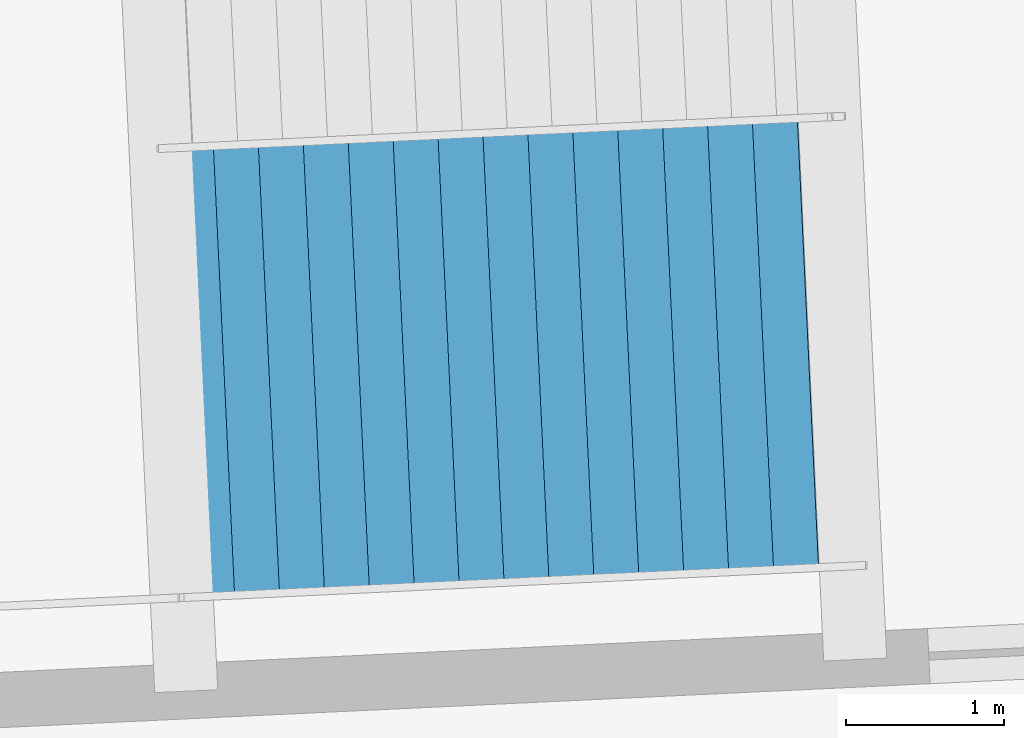
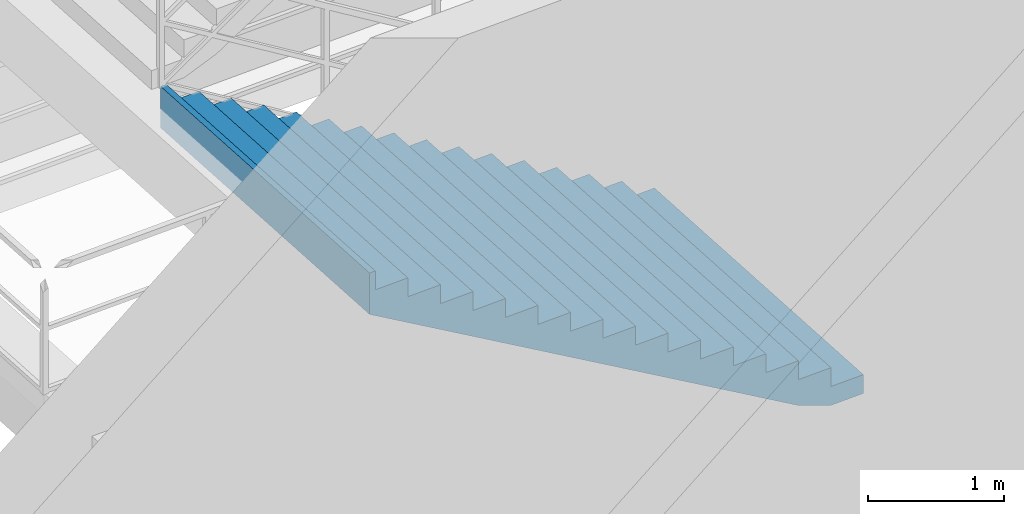
# One storey, part 93 of 103: 1 stair flight, 1 element without a shape of its own.
"""IFC4 building model written with IfcOpenShell, lengths in metres."""

from ifc_helpers import new_model, si_unit, direction, frame, origin, place, context, subcontext, project, spatial, polygons, material, type_object, element, aggregate, save


model = new_model("IFC4")

# Units and contexts
model_context = context("Model", 3, precision=1e-05, world=origin(), true_north=direction((0.0, 1.0)))
body_context = subcontext(model_context, "Body", "Model", "MODEL_VIEW")
ifc_project = project(units=[si_unit("LENGTHUNIT", "METRE"), si_unit("AREAUNIT", "SQUARE_METRE"), si_unit("VOLUMEUNIT", "CUBIC_METRE"), si_unit("PLANEANGLEUNIT", "RADIAN"), si_unit("MASSUNIT", "GRAM", prefix="KILO")], contexts=[model_context])

# Site, building, storey
site_placement = place(None, origin())
site = spatial("IfcSite", under=ifc_project, at=site_placement, CompositionType="ELEMENT")
building_placement = place(site_placement, origin())
building = spatial("IfcBuilding", under=site, at=building_placement, Name="Kazemori Nagisa Stadium", CompositionType="ELEMENT")
storey_placement = place(building_placement, frame((0.0, 0.0, 25.840087890625)))
storey = spatial("IfcBuildingStorey", under=building, at=storey_placement, Name="L05", CompositionType="ELEMENT", Elevation=25.840087890625)

# Stair, stair flight
ifc_material = material(Name="Concrete C36/45 (Fc36)", Category="concrete")
stair_type = type_object("IfcStairType", Name="Stair_CORE_32", PredefinedType="TWO_STRAIGHT_RUN_STAIR", material=ifc_material)
stair_placement = place(storey_placement, origin())
stair = element("IfcStair", 1, at=stair_placement, inside=storey, type_object=stair_type, Name="Exit stair ST05 L05", PredefinedType="TWO_STRAIGHT_RUN_STAIR")
stair_flight_type = type_object("IfcStairFlightType", Name="Flight_CORE_16", PredefinedType="STRAIGHT", material=ifc_material)
stair_flight_placement = place(storey_placement, frame((119.465087890625, 180.565673828125, 0.0), z_axis=(0.0, 0.0, 1.0), x_axis=(-0.99888410244, -0.047228697771, 0.0)))
stair_flight = element("IfcStairFlight", 2, at=stair_flight_placement, type_object=stair_flight_type, Name="Exit stair ST05 L05 flight 1", NumberOfRisers=16, NumberOfTreads=15, PredefinedType="STRAIGHT", RiserHeight=0.17, TreadLength=0.285, context=body_context, shape_type="Tessellation", body=[
    polygons([(0.0, -1.425048828125, 0.0), (0.0, -1.425048828125, 0.169921875), (0.284912109375, -1.425048828125, 0.169921875), (0.284912109375, -1.425048828125, 0.340087890625), (0.570068359375, -1.425048828125, 0.340087890625), (0.570068359375, -1.425048828125, 0.510009765625), (0.85498046875, -1.425048828125, 0.510009765625), (0.85498046875, -1.425048828125, 0.679931640625), (1.139892578125, -1.425048828125, 0.679931640625), (1.139892578125, -1.425048828125, 0.85009765625), (1.425048828125, -1.425048828125, 0.85009765625), (1.425048828125, -1.425048828125, 1.02001953125), (1.7099609375, -1.425048828125, 1.02001953125), (1.7099609375, -1.425048828125, 1.18994140625), (1.9951171875, -1.425048828125, 1.18994140625), (1.9951171875, -1.425048828125, 1.360107421875), (2.280029296875, -1.425048828125, 1.360107421875), (2.280029296875, -1.425048828125, 1.530029296875), (2.56494140625, -1.425048828125, 1.530029296875), (2.56494140625, -1.425048828125, 1.699951171875), (2.85009765625, -1.425048828125, 1.699951171875), (2.85009765625, -1.425048828125, 1.8701171875), (3.135009765625, -1.425048828125, 1.8701171875), (3.135009765625, -1.425048828125, 2.0400390625), (3.419921875, -1.425048828125, 2.0400390625), (3.419921875, -1.425048828125, 2.2099609375), (3.705078125, -1.425048828125, 2.2099609375), (3.705078125, -1.425048828125, 2.3798828125), (3.989990234375, -1.425048828125, 2.3798828125), (3.989990234375, -1.425048828125, 2.550048828125), (4.27490234375, -1.425048828125, 2.550048828125), (4.27490234375, -1.425048828125, 2.719970703125), (4.324951171875, -1.425048828125, 2.719970703125), (4.324951171875, -1.425048828125, 2.346923828125), (4.27490234375, -1.425048828125, 2.317138671875), (3.989990234375, -1.425048828125, 2.147216796875), (3.705078125, -1.425048828125, 1.977294921875), (3.419921875, -1.425048828125, 1.80712890625), (3.135009765625, -1.425048828125, 1.63720703125), (2.85009765625, -1.425048828125, 1.46728515625), (2.56494140625, -1.425048828125, 1.297119140625), (2.280029296875, -1.425048828125, 1.127197265625), (1.9951171875, -1.425048828125, 0.957275390625), (1.7099609375, -1.425048828125, 0.787109375), (1.425048828125, -1.425048828125, 0.6171875), (1.139892578125, -1.425048828125, 0.447265625), (0.85498046875, -1.425048828125, 0.277099609375), (0.570068359375, -1.425048828125, 0.107177734375), (0.284912109375, -1.425048828125, 0.0), (0.0, -0.08544921875, 0.0), (0.0, -0.08544921875, 0.169921875), (0.284912109375, -0.08544921875, 0.169921875), (0.284912109375, -0.08544921875, 0.340087890625), (0.570068359375, -0.08544921875, 0.340087890625), (0.570068359375, -0.08544921875, 0.510009765625), (0.85498046875, -0.08544921875, 0.510009765625), (0.85498046875, -0.08544921875, 0.679931640625), (1.139892578125, -0.08544921875, 0.679931640625), (1.139892578125, -0.08544921875, 0.85009765625), (1.425048828125, -0.08544921875, 0.85009765625), (1.425048828125, -0.08544921875, 1.02001953125), (1.7099609375, -0.08544921875, 1.02001953125), (1.7099609375, -0.08544921875, 1.18994140625), (1.9951171875, -0.08544921875, 1.18994140625), (1.9951171875, -0.08544921875, 1.360107421875), (2.280029296875, -0.08544921875, 1.360107421875), (2.280029296875, -0.08544921875, 1.530029296875), (2.56494140625, -0.08544921875, 1.530029296875), (2.56494140625, -0.08544921875, 1.699951171875), (2.85009765625, -0.08544921875, 1.699951171875), (2.85009765625, -0.08544921875, 1.8701171875), (3.135009765625, -0.08544921875, 1.8701171875), (3.135009765625, -0.08544921875, 2.0400390625), (3.419921875, -0.08544921875, 2.0400390625), (3.419921875, -0.08544921875, 2.2099609375), (3.705078125, -0.08544921875, 2.2099609375), (3.705078125, -0.08544921875, 2.3798828125), (3.989990234375, -0.08544921875, 2.3798828125), (3.989990234375, -0.08544921875, 2.550048828125), (4.27490234375, -0.08544921875, 2.550048828125), (4.27490234375, -0.08544921875, 2.719970703125), (4.324951171875, -0.08544921875, 2.719970703125), (4.324951171875, -0.08544921875, 2.346923828125), (4.27490234375, -0.08544921875, 2.317138671875), (3.989990234375, -0.08544921875, 2.147216796875), (3.705078125, -0.08544921875, 1.977294921875), (3.419921875, -0.08544921875, 1.80712890625), (3.135009765625, -0.08544921875, 1.63720703125), (2.85009765625, -0.08544921875, 1.46728515625), (2.56494140625, -0.08544921875, 1.297119140625), (2.280029296875, -0.08544921875, 1.127197265625), (1.9951171875, -0.08544921875, 0.957275390625), (1.7099609375, -0.08544921875, 0.787109375), (1.425048828125, -0.08544921875, 0.6171875), (1.139892578125, -0.08544921875, 0.447265625), (0.85498046875, -0.08544921875, 0.277099609375), (0.570068359375, -0.08544921875, 0.107177734375), (0.284912109375, -0.08544921875, 0.0), (0.0, 0.0, 0.0), (0.0, 0.0, 0.169921875), (0.284912109375, 0.0, 0.169921875), (0.284912109375, 0.0, 0.340087890625), (0.570068359375, 0.0, 0.340087890625), (0.570068359375, 0.0, 0.510009765625), (0.85498046875, 0.0, 0.510009765625), (0.85498046875, 0.0, 0.679931640625), (1.139892578125, 0.0, 0.679931640625), (1.139892578125, 0.0, 0.85009765625), (1.425048828125, 0.0, 0.85009765625), (1.425048828125, 0.0, 1.02001953125), (1.7099609375, 0.0, 1.02001953125), (1.7099609375, 0.0, 1.18994140625), (1.9951171875, 0.0, 1.18994140625), (1.9951171875, 0.0, 1.360107421875), (2.280029296875, 0.0, 1.360107421875), (2.280029296875, 0.0, 1.530029296875), (2.56494140625, 0.0, 1.530029296875), (2.56494140625, 0.0, 1.699951171875), (2.85009765625, 0.0, 1.699951171875), (2.85009765625, 0.0, 1.8701171875), (3.135009765625, 0.0, 1.8701171875), (3.135009765625, 0.0, 2.0400390625), (3.419921875, 0.0, 2.0400390625), (3.419921875, 0.0, 2.2099609375), (3.705078125, 0.0, 2.2099609375), (3.705078125, 0.0, 2.3798828125), (3.989990234375, 0.0, 2.3798828125), (3.989990234375, 0.0, 2.550048828125), (4.27490234375, 0.0, 2.550048828125), (4.27490234375, 0.0, 2.719970703125), (4.324951171875, 0.0, 2.719970703125), (4.324951171875, 0.0, 2.346923828125), (4.27490234375, 0.0, 2.317138671875), (3.989990234375, 0.0, 2.147216796875), (3.705078125, 0.0, 1.977294921875), (3.419921875, 0.0, 1.80712890625), (3.135009765625, 0.0, 1.63720703125), (2.85009765625, 0.0, 1.46728515625), (2.56494140625, 0.0, 1.297119140625), (2.280029296875, 0.0, 1.127197265625), (1.9951171875, 0.0, 0.957275390625), (1.7099609375, 0.0, 0.787109375), (1.425048828125, 0.0, 0.6171875), (1.139892578125, 0.0, 0.447265625), (0.85498046875, 0.0, 0.277099609375), (0.570068359375, 0.0, 0.107177734375), (0.284912109375, 0.0, 0.0), (0.0, 0.08544921875, 0.0), (0.0, 0.08544921875, 0.169921875), (0.284912109375, 0.08544921875, 0.169921875), (0.284912109375, 0.08544921875, 0.340087890625), (0.570068359375, 0.08544921875, 0.340087890625), (0.570068359375, 0.08544921875, 0.510009765625), (0.85498046875, 0.08544921875, 0.510009765625), (0.85498046875, 0.08544921875, 0.679931640625), (1.139892578125, 0.08544921875, 0.679931640625), (1.139892578125, 0.08544921875, 0.85009765625), (1.425048828125, 0.08544921875, 0.85009765625), (1.425048828125, 0.08544921875, 1.02001953125), (1.7099609375, 0.08544921875, 1.02001953125), (1.7099609375, 0.08544921875, 1.18994140625), (1.9951171875, 0.08544921875, 1.18994140625), (1.9951171875, 0.08544921875, 1.360107421875), (2.280029296875, 0.08544921875, 1.360107421875), (2.280029296875, 0.08544921875, 1.530029296875), (2.56494140625, 0.08544921875, 1.530029296875), (2.56494140625, 0.08544921875, 1.699951171875), (2.85009765625, 0.08544921875, 1.699951171875), (2.85009765625, 0.08544921875, 1.8701171875), (3.135009765625, 0.08544921875, 1.8701171875), (3.135009765625, 0.08544921875, 2.0400390625), (3.419921875, 0.08544921875, 2.0400390625), (3.419921875, 0.08544921875, 2.2099609375), (3.705078125, 0.08544921875, 2.2099609375), (3.705078125, 0.08544921875, 2.3798828125), (3.989990234375, 0.08544921875, 2.3798828125), (3.989990234375, 0.08544921875, 2.550048828125), (4.27490234375, 0.08544921875, 2.550048828125), (4.27490234375, 0.08544921875, 2.719970703125), (4.324951171875, 0.08544921875, 2.719970703125), (4.324951171875, 0.08544921875, 2.346923828125), (4.27490234375, 0.08544921875, 2.317138671875), (3.989990234375, 0.08544921875, 2.147216796875), (3.705078125, 0.08544921875, 1.977294921875), (3.419921875, 0.08544921875, 1.80712890625), (3.135009765625, 0.08544921875, 1.63720703125), (2.85009765625, 0.08544921875, 1.46728515625), (2.56494140625, 0.08544921875, 1.297119140625), (2.280029296875, 0.08544921875, 1.127197265625), (1.9951171875, 0.08544921875, 0.957275390625), (1.7099609375, 0.08544921875, 0.787109375), (1.425048828125, 0.08544921875, 0.6171875), (1.139892578125, 0.08544921875, 0.447265625), (0.85498046875, 0.08544921875, 0.277099609375), (0.570068359375, 0.08544921875, 0.107177734375), (0.284912109375, 0.08544921875, 0.0), (0.0, 1.425048828125, 0.0), (0.0, 1.425048828125, 0.169921875), (0.284912109375, 1.425048828125, 0.169921875), (0.284912109375, 1.425048828125, 0.340087890625), (0.570068359375, 1.425048828125, 0.340087890625), (0.570068359375, 1.425048828125, 0.510009765625), (0.85498046875, 1.425048828125, 0.510009765625), (0.85498046875, 1.425048828125, 0.679931640625), (1.139892578125, 1.425048828125, 0.679931640625), (1.139892578125, 1.425048828125, 0.85009765625), (1.425048828125, 1.425048828125, 0.85009765625), (1.425048828125, 1.425048828125, 1.02001953125), (1.7099609375, 1.425048828125, 1.02001953125), (1.7099609375, 1.425048828125, 1.18994140625), (1.9951171875, 1.425048828125, 1.18994140625), (1.9951171875, 1.425048828125, 1.360107421875), (2.280029296875, 1.425048828125, 1.360107421875), (2.280029296875, 1.425048828125, 1.530029296875), (2.56494140625, 1.425048828125, 1.530029296875), (2.56494140625, 1.425048828125, 1.699951171875), (2.85009765625, 1.425048828125, 1.699951171875), (2.85009765625, 1.425048828125, 1.8701171875), (3.135009765625, 1.425048828125, 1.8701171875), (3.135009765625, 1.425048828125, 2.0400390625), (3.419921875, 1.425048828125, 2.0400390625), (3.419921875, 1.425048828125, 2.2099609375), (3.705078125, 1.425048828125, 2.2099609375), (3.705078125, 1.425048828125, 2.3798828125), (3.989990234375, 1.425048828125, 2.3798828125), (3.989990234375, 1.425048828125, 2.550048828125), (4.27490234375, 1.425048828125, 2.550048828125), (4.27490234375, 1.425048828125, 2.719970703125), (4.324951171875, 1.425048828125, 2.719970703125), (4.324951171875, 1.425048828125, 2.346923828125), (4.27490234375, 1.425048828125, 2.317138671875), (3.989990234375, 1.425048828125, 2.147216796875), (3.705078125, 1.425048828125, 1.977294921875), (3.419921875, 1.425048828125, 1.80712890625), (3.135009765625, 1.425048828125, 1.63720703125), (2.85009765625, 1.425048828125, 1.46728515625), (2.56494140625, 1.425048828125, 1.297119140625), (2.280029296875, 1.425048828125, 1.127197265625), (1.9951171875, 1.425048828125, 0.957275390625), (1.7099609375, 1.425048828125, 0.787109375), (1.425048828125, 1.425048828125, 0.6171875), (1.139892578125, 1.425048828125, 0.447265625), (0.85498046875, 1.425048828125, 0.277099609375), (0.570068359375, 1.425048828125, 0.107177734375), (0.284912109375, 1.425048828125, 0.0)], [[[1, 2, 51]], [[1, 51, 50]], [[2, 3, 52]], [[2, 52, 51]], [[3, 4, 53]], [[3, 53, 52]], [[4, 5, 54]], [[4, 54, 53]], [[5, 6, 55]], [[5, 55, 54]], [[6, 7, 56]], [[6, 56, 55]], [[7, 8, 57]], [[7, 57, 56]], [[8, 9, 58]], [[8, 58, 57]], [[9, 10, 59]], [[9, 59, 58]], [[10, 11, 60]], [[10, 60, 59]], [[11, 12, 61]], [[11, 61, 60]], [[12, 13, 62]], [[12, 62, 61]], [[13, 14, 63]], [[13, 63, 62]], [[14, 15, 64]], [[14, 64, 63]], [[15, 16, 65]], [[15, 65, 64]], [[16, 17, 66]], [[16, 66, 65]], [[17, 18, 67]], [[17, 67, 66]], [[18, 19, 68]], [[18, 68, 67]], [[19, 20, 69]], [[19, 69, 68]], [[20, 21, 70]], [[20, 70, 69]], [[21, 22, 71]], [[21, 71, 70]], [[22, 23, 72]], [[22, 72, 71]], [[23, 24, 73]], [[23, 73, 72]], [[24, 25, 74]], [[24, 74, 73]], [[25, 26, 75]], [[25, 75, 74]], [[26, 27, 76]], [[26, 76, 75]], [[27, 28, 77]], [[27, 77, 76]], [[28, 29, 78]], [[28, 78, 77]], [[29, 30, 79]], [[29, 79, 78]], [[30, 31, 80]], [[30, 80, 79]], [[31, 32, 81]], [[31, 81, 80]], [[32, 33, 82]], [[32, 82, 81]], [[33, 34, 83]], [[33, 83, 82]], [[34, 35, 84]], [[34, 84, 83]], [[35, 36, 85]], [[35, 85, 84]], [[36, 37, 86]], [[36, 86, 85]], [[37, 38, 87]], [[37, 87, 86]], [[38, 39, 88]], [[38, 88, 87]], [[39, 40, 89]], [[39, 89, 88]], [[40, 41, 90]], [[40, 90, 89]], [[41, 42, 91]], [[41, 91, 90]], [[42, 43, 92]], [[42, 92, 91]], [[43, 44, 93]], [[43, 93, 92]], [[44, 45, 94]], [[44, 94, 93]], [[45, 46, 95]], [[45, 95, 94]], [[46, 47, 96]], [[46, 96, 95]], [[47, 48, 97]], [[47, 97, 96]], [[48, 49, 98]], [[48, 98, 97]], [[49, 1, 50]], [[49, 50, 98]], [[50, 51, 100]], [[50, 100, 99]], [[51, 52, 101]], [[51, 101, 100]], [[52, 53, 102]], [[52, 102, 101]], [[53, 54, 103]], [[53, 103, 102]], [[54, 55, 104]], [[54, 104, 103]], [[55, 56, 105]], [[55, 105, 104]], [[56, 57, 106]], [[56, 106, 105]], [[57, 58, 107]], [[57, 107, 106]], [[58, 59, 108]], [[58, 108, 107]], [[59, 60, 109]], [[59, 109, 108]], [[60, 61, 110]], [[60, 110, 109]], [[61, 62, 111]], [[61, 111, 110]], [[62, 63, 112]], [[62, 112, 111]], [[63, 64, 113]], [[63, 113, 112]], [[64, 65, 114]], [[64, 114, 113]], [[65, 66, 115]], [[65, 115, 114]], [[66, 67, 116]], [[66, 116, 115]], [[67, 68, 117]], [[67, 117, 116]], [[68, 69, 118]], [[68, 118, 117]], [[69, 70, 119]], [[69, 119, 118]], [[70, 71, 120]], [[70, 120, 119]], [[71, 72, 121]], [[71, 121, 120]], [[72, 73, 122]], [[72, 122, 121]], [[73, 74, 123]], [[73, 123, 122]], [[74, 75, 124]], [[74, 124, 123]], [[75, 76, 125]], [[75, 125, 124]], [[76, 77, 126]], [[76, 126, 125]], [[77, 78, 127]], [[77, 127, 126]], [[78, 79, 128]], [[78, 128, 127]], [[79, 80, 129]], [[79, 129, 128]], [[80, 81, 130]], [[80, 130, 129]], [[81, 82, 131]], [[81, 131, 130]], [[82, 83, 132]], [[82, 132, 131]], [[83, 84, 133]], [[83, 133, 132]], [[84, 85, 134]], [[84, 134, 133]], [[85, 86, 135]], [[85, 135, 134]], [[86, 87, 136]], [[86, 136, 135]], [[87, 88, 137]], [[87, 137, 136]], [[88, 89, 138]], [[88, 138, 137]], [[89, 90, 139]], [[89, 139, 138]], [[90, 91, 140]], [[90, 140, 139]], [[91, 92, 141]], [[91, 141, 140]], [[92, 93, 142]], [[92, 142, 141]], [[93, 94, 143]], [[93, 143, 142]], [[94, 95, 144]], [[94, 144, 143]], [[95, 96, 145]], [[95, 145, 144]], [[96, 97, 146]], [[96, 146, 145]], [[97, 98, 147]], [[97, 147, 146]], [[98, 50, 99]], [[98, 99, 147]], [[99, 100, 149]], [[99, 149, 148]], [[100, 101, 150]], [[100, 150, 149]], [[101, 102, 151]], [[101, 151, 150]], [[102, 103, 152]], [[102, 152, 151]], [[103, 104, 153]], [[103, 153, 152]], [[104, 105, 154]], [[104, 154, 153]], [[105, 106, 155]], [[105, 155, 154]], [[106, 107, 156]], [[106, 156, 155]], [[107, 108, 157]], [[107, 157, 156]], [[108, 109, 158]], [[108, 158, 157]], [[109, 110, 159]], [[109, 159, 158]], [[110, 111, 160]], [[110, 160, 159]], [[111, 112, 161]], [[111, 161, 160]], [[112, 113, 162]], [[112, 162, 161]], [[113, 114, 163]], [[113, 163, 162]], [[114, 115, 164]], [[114, 164, 163]], [[115, 116, 165]], [[115, 165, 164]], [[116, 117, 166]], [[116, 166, 165]], [[117, 118, 167]], [[117, 167, 166]], [[118, 119, 168]], [[118, 168, 167]], [[119, 120, 169]], [[119, 169, 168]], [[120, 121, 170]], [[120, 170, 169]], [[121, 122, 171]], [[121, 171, 170]], [[122, 123, 172]], [[122, 172, 171]], [[123, 124, 173]], [[123, 173, 172]], [[124, 125, 174]], [[124, 174, 173]], [[125, 126, 175]], [[125, 175, 174]], [[126, 127, 176]], [[126, 176, 175]], [[127, 128, 177]], [[127, 177, 176]], [[128, 129, 178]], [[128, 178, 177]], [[129, 130, 179]], [[129, 179, 178]], [[130, 131, 180]], [[130, 180, 179]], [[131, 132, 181]], [[131, 181, 180]], [[132, 133, 182]], [[132, 182, 181]], [[133, 134, 183]], [[133, 183, 182]], [[134, 135, 184]], [[134, 184, 183]], [[135, 136, 185]], [[135, 185, 184]], [[136, 137, 186]], [[136, 186, 185]], [[137, 138, 187]], [[137, 187, 186]], [[138, 139, 188]], [[138, 188, 187]], [[139, 140, 189]], [[139, 189, 188]], [[140, 141, 190]], [[140, 190, 189]], [[141, 142, 191]], [[141, 191, 190]], [[142, 143, 192]], [[142, 192, 191]], [[143, 144, 193]], [[143, 193, 192]], [[144, 145, 194]], [[144, 194, 193]], [[145, 146, 195]], [[145, 195, 194]], [[146, 147, 196]], [[146, 196, 195]], [[147, 99, 148]], [[147, 148, 196]], [[148, 149, 198]], [[148, 198, 197]], [[149, 150, 199]], [[149, 199, 198]], [[150, 151, 200]], [[150, 200, 199]], [[151, 152, 201]], [[151, 201, 200]], [[152, 153, 202]], [[152, 202, 201]], [[153, 154, 203]], [[153, 203, 202]], [[154, 155, 204]], [[154, 204, 203]], [[155, 156, 205]], [[155, 205, 204]], [[156, 157, 206]], [[156, 206, 205]], [[157, 158, 207]], [[157, 207, 206]], [[158, 159, 208]], [[158, 208, 207]], [[159, 160, 209]], [[159, 209, 208]], [[160, 161, 210]], [[160, 210, 209]], [[161, 162, 211]], [[161, 211, 210]], [[162, 163, 212]], [[162, 212, 211]], [[163, 164, 213]], [[163, 213, 212]], [[164, 165, 214]], [[164, 214, 213]], [[165, 166, 215]], [[165, 215, 214]], [[166, 167, 216]], [[166, 216, 215]], [[167, 168, 217]], [[167, 217, 216]], [[168, 169, 218]], [[168, 218, 217]], [[169, 170, 219]], [[169, 219, 218]], [[170, 171, 220]], [[170, 220, 219]], [[171, 172, 221]], [[171, 221, 220]], [[172, 173, 222]], [[172, 222, 221]], [[173, 174, 223]], [[173, 223, 222]], [[174, 175, 224]], [[174, 224, 223]], [[175, 176, 225]], [[175, 225, 224]], [[176, 177, 226]], [[176, 226, 225]], [[177, 178, 227]], [[177, 227, 226]], [[178, 179, 228]], [[178, 228, 227]], [[179, 180, 229]], [[179, 229, 228]], [[180, 181, 230]], [[180, 230, 229]], [[181, 182, 231]], [[181, 231, 230]], [[182, 183, 232]], [[182, 232, 231]], [[183, 184, 233]], [[183, 233, 232]], [[184, 185, 234]], [[184, 234, 233]], [[185, 186, 235]], [[185, 235, 234]], [[186, 187, 236]], [[186, 236, 235]], [[187, 188, 237]], [[187, 237, 236]], [[188, 189, 238]], [[188, 238, 237]], [[189, 190, 239]], [[189, 239, 238]], [[190, 191, 240]], [[190, 240, 239]], [[191, 192, 241]], [[191, 241, 240]], [[192, 193, 242]], [[192, 242, 241]], [[193, 194, 243]], [[193, 243, 242]], [[194, 195, 244]], [[194, 244, 243]], [[195, 196, 245]], [[195, 245, 244]], [[196, 148, 197]], [[196, 197, 245]], [[3, 2, 1]], [[197, 198, 199]], [[49, 3, 1]], [[197, 199, 245]], [[48, 3, 49]], [[245, 199, 244]], [[5, 3, 48]], [[244, 199, 201]], [[5, 4, 3]], [[199, 200, 201]], [[47, 5, 48]], [[244, 201, 243]], [[7, 5, 47]], [[243, 201, 203]], [[7, 6, 5]], [[201, 202, 203]], [[46, 7, 47]], [[243, 203, 242]], [[9, 7, 46]], [[242, 203, 205]], [[9, 8, 7]], [[203, 204, 205]], [[45, 9, 46]], [[242, 205, 241]], [[11, 9, 45]], [[241, 205, 207]], [[11, 10, 9]], [[205, 206, 207]], [[44, 11, 45]], [[241, 207, 240]], [[13, 11, 44]], [[240, 207, 209]], [[13, 12, 11]], [[207, 208, 209]], [[43, 13, 44]], [[240, 209, 239]], [[15, 13, 43]], [[239, 209, 211]], [[15, 14, 13]], [[209, 210, 211]], [[42, 15, 43]], [[239, 211, 238]], [[17, 15, 42]], [[238, 211, 213]], [[17, 16, 15]], [[211, 212, 213]], [[41, 17, 42]], [[238, 213, 237]], [[19, 17, 41]], [[237, 213, 215]], [[19, 18, 17]], [[213, 214, 215]], [[40, 19, 41]], [[237, 215, 236]], [[21, 19, 40]], [[236, 215, 217]], [[21, 20, 19]], [[215, 216, 217]], [[39, 21, 40]], [[236, 217, 235]], [[23, 21, 39]], [[235, 217, 219]], [[23, 22, 21]], [[217, 218, 219]], [[38, 23, 39]], [[235, 219, 234]], [[25, 23, 38]], [[234, 219, 221]], [[25, 24, 23]], [[219, 220, 221]], [[37, 25, 38]], [[234, 221, 233]], [[27, 25, 37]], [[233, 221, 223]], [[27, 26, 25]], [[221, 222, 223]], [[36, 27, 37]], [[233, 223, 232]], [[29, 27, 36]], [[232, 223, 225]], [[29, 28, 27]], [[223, 224, 225]], [[35, 29, 36]], [[232, 225, 231]], [[31, 29, 35]], [[231, 225, 227]], [[31, 30, 29]], [[225, 226, 227]], [[34, 31, 35]], [[231, 227, 230]], [[33, 31, 34]], [[230, 227, 229]], [[33, 32, 31]], [[227, 228, 229]]], closed=True),
])
aggregate(stair, [stair_flight])

save(model, "model.ifc")
